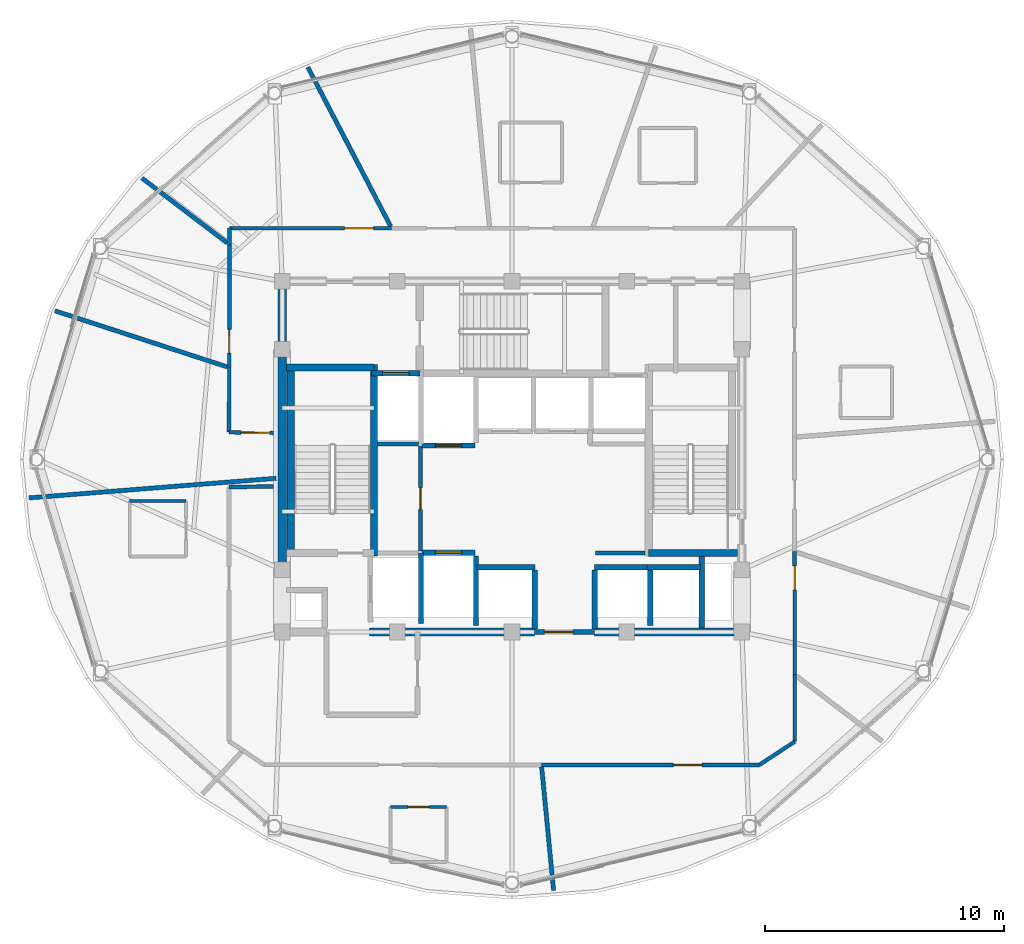
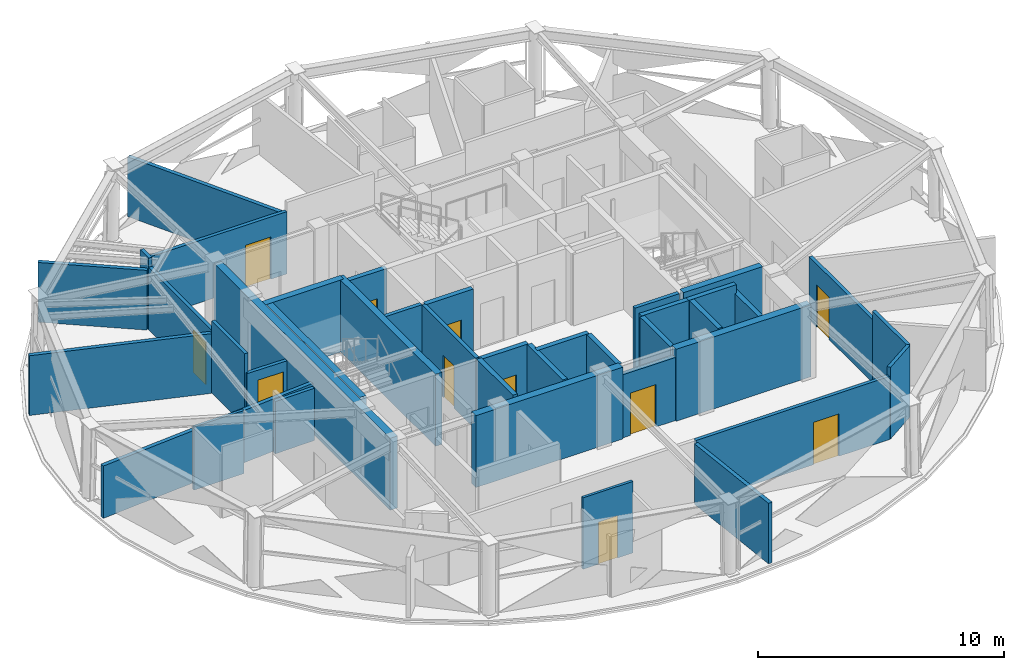
# One storey, part 9 of 15: 40 walls, 11 doors, 11 openings.
"""IFC4 building model written with IfcOpenShell, lengths in metres."""

from ifc_helpers import new_model, si_unit, direction, frame, frame_2d, origin, place, context, subcontext, project, spatial, rectangle, extrude, material, layer, layer_set, type_object, element, fill, save


model = new_model("IFC4")

# Units and contexts
model_context = context("Model", 3, precision=1e-05, world=origin(), true_north=direction((0.0, 1.0)))
body_context = subcontext(model_context, "Body", "Model", "MODEL_VIEW")
ifc_project = project(units=[si_unit("LENGTHUNIT", "METRE"), si_unit("AREAUNIT", "SQUARE_METRE"), si_unit("VOLUMEUNIT", "CUBIC_METRE"), si_unit("PLANEANGLEUNIT", "RADIAN"), si_unit("MASSUNIT", "GRAM", prefix="KILO")], contexts=[model_context])

# Site, building, storey
site_placement = place(None, origin())
site = spatial("IfcSite", under=ifc_project, at=site_placement, CompositionType="ELEMENT")
building_placement = place(site_placement, origin())
building = spatial("IfcBuilding", under=site, at=building_placement, Name="Vantalir Tower", CompositionType="ELEMENT")
storey_placement = place(building_placement, frame((0.0, 0.0, 263.85009765625)))
storey = spatial("IfcBuildingStorey", under=building, at=storey_placement, Name="L66", CompositionType="ELEMENT", Elevation=263.85009765625)

# Wall
ifc_material_1 = material(Name="Moisture-resistant en-suite partition", Category="gypsum")
ifc_layer_1 = layer(ifc_material_1, 0.125)
ifc_layer_set_1 = layer_set([ifc_layer_1], Name="Moisture-resistant en-suite partition")
wall_type_1 = type_object("IfcWallType", Name="WL-BATH-125", PredefinedType="PARTITIONING", material=ifc_layer_set_1)
wall_1_placement = place(storey_placement, frame((15.5380859375, 23.262939453125, 0.0), z_axis=(0.0, 0.0, 1.0), x_axis=(1.0, 0.0, 0.0)))
element("IfcWall", 1, at=wall_1_placement, inside=storey, type_object=wall_type_1, Name="L66 En-suite 08 North Wall", PredefinedType="PARTITIONING", context=body_context, shape_type="SweptSolid", body=[
    extrude(rectangle(XDim=2.349853515625, YDim=0.125, at=frame_2d((1.1748046875, 0.0))), origin(), (0.0, 0.0, 1.0), 3.1318359375),
])

# Wall, opening, door
wall_2_placement = place(storey_placement, frame((26.425048828125, 10.491943359375, 0.0), z_axis=(0.0, 0.0, 1.0), x_axis=(1.0, 0.0, 0.0)))
wall_2 = element("IfcWall", 2, at=wall_2_placement, inside=storey, type_object=wall_type_1, Name="L66 En-suite 09 North Wall", PredefinedType="PARTITIONING", context=body_context, shape_type="SweptSolid", body=[
    extrude(rectangle(XDim=2.349853515625, YDim=0.125, at=frame_2d((1.1748046875, 0.0))), origin(), (0.0, 0.0, 1.0), 3.5498046875),
])
opening_1_placement = place(wall_2_placement, frame((0.72509765625, 0.0, 0.0)))
opening_1 = element("IfcOpeningElement", 3, at=opening_1_placement, cuts=wall_2, Name="Opening D-WC", PredefinedType="OPENING", context=body_context, shape_type="SweptSolid", body=[
    extrude(rectangle(XDim=0.89990234375, YDim=2.10009765625, at=frame_2d((0.449951171875, 1.050048828125))), frame((0.0, 0.072509765625, 0.0), z_axis=(0.0, -1.0, 0.0), x_axis=(1.0, 0.0, 0.0)), (0.0, 0.0, 1.0), 0.14501953125),
])
ifc_material_2 = material(Name="Moisture-resistant hardwood door", Category="wood")
door_type_1 = type_object("IfcDoorType", Name="DR-ENSUITE-900", OperationType="NOTDEFINED", PredefinedType="DOOR", material=ifc_material_2)
door_1_placement = place(opening_1_placement, frame((0.89990234375, 0.0, 0.0), z_axis=(0.0, 0.0, 1.0), x_axis=(-1.0, 0.0, 0.0)))
door_1 = element("IfcDoor", 4, at=door_1_placement, inside=storey, type_object=door_type_1, Name="L66 En-suite 09 Door", OperationType="SINGLE_SWING_RIGHT", OverallHeight=2.10009765625, OverallWidth=0.89990234375, PredefinedType="DOOR", context=body_context, shape_type="SweptSolid", body=[
    extrude(rectangle(XDim=0.89990234375, YDim=2.10009765625, at=frame_2d((0.449951171875, 1.050048828125))), frame((0.0, 0.02490234375, 0.0), z_axis=(0.0, -1.0, 0.0), x_axis=(1.0, 0.0, 0.0)), (0.0, 0.0, 1.0), 0.050048828125),
])
fill(opening_1, door_1)

# Walls
ifc_material_3 = material(Name="Concrete C50/60", Category="concrete")
ifc_layer_2 = layer(ifc_material_3, 0.35009765625)
ifc_layer_set_2 = layer_set([ifc_layer_2], Name="Concrete C50/60")
wall_type_2 = type_object("IfcWallType", Name="WL-CORE-350", PredefinedType="SHEAR", material=ifc_layer_set_2)
wall_3_placement = place(storey_placement, frame((25.550048828125, 17.800048828125, 0.0), z_axis=(0.0, 0.0, 1.0), x_axis=(1.0, 0.0, 0.0)))
element("IfcWall", 5, at=wall_3_placement, inside=storey, type_object=wall_type_2, Name="L66 Core Shear Wall South-Mid", PredefinedType="SHEAR", context=body_context, shape_type="SweptSolid", body=[
    extrude(rectangle(XDim=6.89990234375, YDim=0.35009765625, at=frame_2d((3.449951171875, 0.0))), origin(), (0.0, 0.0, 1.0), 3.56982421875),
])
wall_4_placement = place(storey_placement, frame((34.949951171875, 17.800048828125, 0.0), z_axis=(0.0, 0.0, 1.0), x_axis=(1.0, 0.0, 0.0)))
element("IfcWall", 6, at=wall_4_placement, inside=storey, type_object=wall_type_2, Name="L66 Core Shear Wall South-East", PredefinedType="SHEAR", context=body_context, shape_type="SweptSolid", body=[
    extrude(rectangle(XDim=6.324951171875, YDim=0.35009765625, at=frame_2d((3.16259765625, 0.0))), origin(), (0.0, 0.0, 1.0), 3.56982421875),
])
wall_5_placement = place(storey_placement, frame((21.89990234375, 17.97509765625, 0.0), z_axis=(0.0, 0.0, 1.0), x_axis=(0.0, 1.0, 0.0)))
element("IfcWall", 7, at=wall_5_placement, inside=storey, type_object=wall_type_2, Name="L66 Core Shear Wall West", PredefinedType="SHEAR", context=body_context, shape_type="SweptSolid", body=[
    extrude(rectangle(XDim=14.2998046875, YDim=0.35009765625, at=frame_2d((7.14990234375, 0.0))), origin(), (0.0, 0.0, 1.0), 3.56982421875),
])

# Wall, opening, door
ifc_material_4 = material(Name="Fire-rated hotel corridor acoustic partition", Category="gypsum")
ifc_layer_3 = layer(ifc_material_4, 0.159912109375)
ifc_layer_set_3 = layer_set([ifc_layer_3], Name="Fire-rated hotel corridor acoustic partition")
wall_type_3 = type_object("IfcWallType", Name="WL-CORR-160", PredefinedType="PARTITIONING", material=ifc_layer_set_3)
wall_6_placement = place(storey_placement, frame((21.544921875, 26.116943359375, 0.0), z_axis=(0.0, 0.0, 1.0), x_axis=(-0.999908513059, 0.0135264745, 0.0)))
wall_6 = element("IfcWall", 8, at=wall_6_placement, inside=storey, type_object=wall_type_3, Name="L66 Corridor Partition 01", PredefinedType="PARTITIONING", context=body_context, shape_type="SweptSolid", body=[
    extrude(rectangle(XDim=1.859130859375, YDim=0.159912109375, at=frame_2d((0.9296875, 0.0))), origin(), (0.0, 0.0, 1.0), 2.594970703125),
])
opening_2_placement = place(wall_6_placement, frame((0.159912109375, 0.0, 0.0)))
opening_2 = element("IfcOpeningElement", 9, at=opening_2_placement, cuts=wall_6, Name="Opening D-STE", PredefinedType="OPENING", context=body_context, shape_type="SweptSolid", body=[
    extrude(rectangle(XDim=1.199951171875, YDim=2.10009765625, at=frame_2d((0.60009765625, 1.050048828125))), frame((0.0, 0.08984375, 0.0), z_axis=(0.0, -1.0, 0.0), x_axis=(1.0, 0.0, 0.0)), (0.0, 0.0, 1.0), 0.179931640625),
])
ifc_material_5 = material(Name="Solid-core teak veneer suite entrance door", Category="wood")
door_type_2 = type_object("IfcDoorType", Name="DR-SUITE-ENTRY-1200", OperationType="NOTDEFINED", PredefinedType="DOOR", material=ifc_material_5)
door_2_placement = place(opening_2_placement, origin())
door_2 = element("IfcDoor", 10, at=door_2_placement, inside=storey, type_object=door_type_2, Name="L66 Club Reading Lounge 07 Door", OperationType="SINGLE_SWING_LEFT", OverallHeight=2.10009765625, OverallWidth=1.199951171875, PredefinedType="DOOR", context=body_context, shape_type="SweptSolid", body=[
    extrude(rectangle(XDim=1.199951171875, YDim=2.10009765625, at=frame_2d((0.60009765625, 1.050048828125))), frame((0.0, 0.02490234375, 0.0), z_axis=(0.0, -1.0, 0.0), x_axis=(1.0, 0.0, 0.0)), (0.0, 0.0, 1.0), 0.050048828125),
])
fill(opening_2, door_2)

# Wall
wall_7_placement = place(storey_placement, frame((19.68603515625, 26.14208984375, 0.0), z_axis=(0.0, 0.0, 1.0), x_axis=(0.002621341441, 0.999996564279, 0.0)))
element("IfcWall", 11, at=wall_7_placement, inside=storey, type_object=wall_type_3, Name="L66 Corridor Partition 02", PredefinedType="PARTITIONING", context=body_context, shape_type="SweptSolid", body=[
    extrude(rectangle(XDim=2.700927734375, YDim=0.159912109375, at=frame_2d((1.3505859375, 0.0))), origin(), (0.0, 0.0, 1.0), 3.5498046875),
])

# Wall, opening, door
wall_8_placement = place(storey_placement, frame((19.693115234375, 28.843017578125, 0.0), z_axis=(0.0, 0.0, 1.0), x_axis=(0.002904196475, 0.999995782813, 0.0)))
wall_8 = element("IfcWall", 12, at=wall_8_placement, inside=storey, type_object=wall_type_3, Name="L66 Corridor Partition 03", PredefinedType="PARTITIONING", context=body_context, shape_type="SweptSolid", body=[
    extrude(rectangle(XDim=5.1279296875, YDim=0.159912109375, at=frame_2d((2.56396484375, 0.0))), origin(), (0.0, 0.0, 1.0), 3.091796875),
])
opening_3_placement = place(wall_8_placement, frame((0.59912109375, 0.0, 0.0)))
opening_3 = element("IfcOpeningElement", 13, at=opening_3_placement, cuts=wall_8, Name="Opening D-GUEST", PredefinedType="OPENING", context=body_context, shape_type="SweptSolid", body=[
    extrude(rectangle(XDim=1.0, YDim=2.10009765625, at=frame_2d((0.5, 1.050048828125))), frame((0.0, 0.08984375, 0.0), z_axis=(0.0, -1.0, 0.0), x_axis=(1.0, 0.0, 0.0)), (0.0, 0.0, 1.0), 0.179931640625),
])
ifc_material_6 = material(Name="Solid-core teak veneer acoustic fire door", Category="wood")
door_type_3 = type_object("IfcDoorType", Name="DR-GUEST-ENTRY-1000", OperationType="NOTDEFINED", PredefinedType="DOOR", material=ifc_material_6)
door_3_placement = place(opening_3_placement, origin())
door_3 = element("IfcDoor", 14, at=door_3_placement, inside=storey, type_object=door_type_3, Name="L66 Executive Business Study 06 Door", OperationType="SINGLE_SWING_RIGHT", OverallHeight=2.10009765625, OverallWidth=1.0, PredefinedType="DOOR", context=body_context, shape_type="SweptSolid", body=[
    extrude(rectangle(XDim=1.0, YDim=2.10009765625, at=frame_2d((0.5, 1.050048828125))), frame((0.0, 0.02490234375, 0.0), z_axis=(0.0, -1.0, 0.0), x_axis=(1.0, 0.0, 0.0)), (0.0, 0.0, 1.0), 0.050048828125),
])
fill(opening_3, door_3)

# Wall
wall_9_placement = place(storey_placement, frame((19.7080078125, 33.970947265625, 0.0), z_axis=(0.0, 0.0, 1.0), x_axis=(0.002825845305, 0.999996007291, 0.0)))
element("IfcWall", 15, at=wall_9_placement, inside=storey, type_object=wall_type_3, Name="L66 Corridor Partition 04", PredefinedType="PARTITIONING", context=body_context, shape_type="SweptSolid", body=[
    extrude(rectangle(XDim=0.691162109375, YDim=0.159912109375, at=frame_2d((0.345703125, 0.0))), origin(), (0.0, 0.0, 1.0), 3.5498046875),
])

# Wall, opening, door
wall_10_placement = place(storey_placement, frame((19.7099609375, 34.662109375, 0.0), z_axis=(0.0, 0.0, 1.0), x_axis=(0.999999983716, -0.000180466322, 0.0)))
wall_10 = element("IfcWall", 16, at=wall_10_placement, inside=storey, type_object=wall_type_3, Name="L66 Corridor Partition 05", PredefinedType="PARTITIONING", context=body_context, shape_type="SweptSolid", body=[
    extrude(rectangle(XDim=6.76416015625, YDim=0.159912109375, at=frame_2d((3.382080078125, 0.0))), origin(), (0.0, 0.0, 1.0), 3.091796875),
])
opening_4_placement = place(wall_10_placement, frame((4.804931640625, 0.0, 0.0)))
opening_4 = element("IfcOpeningElement", 17, at=opening_4_placement, cuts=wall_10, Name="Opening D-STE", PredefinedType="OPENING", context=body_context, shape_type="SweptSolid", body=[
    extrude(rectangle(XDim=1.199951171875, YDim=2.10009765625, at=frame_2d((0.60009765625, 1.050048828125))), frame((0.0, 0.08984375, 0.0), z_axis=(0.0, -1.0, 0.0), x_axis=(1.0, 0.0, 0.0)), (0.0, 0.0, 1.0), 0.179931640625),
])
door_4_placement = place(opening_4_placement, origin())
door_4 = element("IfcDoor", 18, at=door_4_placement, inside=storey, type_object=door_type_2, Name="L66 Club Reading Lounge 05 Door", OperationType="SINGLE_SWING_LEFT", OverallHeight=2.10009765625, OverallWidth=1.199951171875, PredefinedType="DOOR", context=body_context, shape_type="SweptSolid", body=[
    extrude(rectangle(XDim=1.199951171875, YDim=2.10009765625, at=frame_2d((0.60009765625, 1.050048828125))), frame((0.0, 0.02490234375, 0.0), z_axis=(0.0, -1.0, 0.0), x_axis=(1.0, 0.0, 0.0)), (0.0, 0.0, 1.0), 0.050048828125),
])
fill(opening_4, door_4)

wall_11_placement = place(storey_placement, frame((43.302978515625, 21.157958984375, 0.0), z_axis=(0.0, 0.0, 1.0), x_axis=(0.000759986481, -0.99999971121, 0.0)))
wall_11 = element("IfcWall", 19, at=wall_11_placement, inside=storey, type_object=wall_type_3, Name="L66 Corridor Partition 12", PredefinedType="PARTITIONING", context=body_context, shape_type="SweptSolid", body=[
    extrude(rectangle(XDim=5.139892578125, YDim=0.159912109375, at=frame_2d((2.56982421875, 0.0))), origin(), (0.0, 0.0, 1.0), 3.1318359375),
])
opening_5_placement = place(wall_11_placement, frame((0.60107421875, 0.0, 0.0)))
opening_5 = element("IfcOpeningElement", 20, at=opening_5_placement, cuts=wall_11, Name="Opening D-GUEST", PredefinedType="OPENING", context=body_context, shape_type="SweptSolid", body=[
    extrude(rectangle(XDim=1.0, YDim=2.10009765625, at=frame_2d((0.5, 1.050048828125))), frame((0.0, 0.08984375, 0.0), z_axis=(0.0, -1.0, 0.0), x_axis=(1.0, 0.0, 0.0)), (0.0, 0.0, 1.0), 0.179931640625),
])
door_5_placement = place(opening_5_placement, origin())
door_5 = element("IfcDoor", 21, at=door_5_placement, inside=storey, type_object=door_type_3, Name="L66 Executive Business Study 11 Door", OperationType="SINGLE_SWING_LEFT", OverallHeight=2.10009765625, OverallWidth=1.0, PredefinedType="DOOR", context=body_context, shape_type="SweptSolid", body=[
    extrude(rectangle(XDim=1.0, YDim=2.10009765625, at=frame_2d((0.5, 1.050048828125))), frame((0.0, 0.02490234375, 0.0), z_axis=(0.0, -1.0, 0.0), x_axis=(1.0, 0.0, 0.0)), (0.0, 0.0, 1.0), 0.050048828125),
])
fill(opening_5, door_5)

# Walls
wall_12_placement = place(storey_placement, frame((43.306884765625, 16.01806640625, 0.0), z_axis=(0.0, 0.0, 1.0), x_axis=(0.000786438065, -0.999999690758, 0.0)))
element("IfcWall", 22, at=wall_12_placement, inside=storey, type_object=wall_type_3, Name="L66 Corridor Partition 13", PredefinedType="PARTITIONING", context=body_context, shape_type="SweptSolid", body=[
    extrude(rectangle(XDim=2.7939453125, YDim=0.159912109375, at=frame_2d((1.39697265625, 0.0))), origin(), (0.0, 0.0, 1.0), 3.5498046875),
])
wall_13_placement = place(storey_placement, frame((43.30908203125, 13.22412109375, 0.0), z_axis=(0.0, 0.0, 1.0), x_axis=(-0.836006510541, -0.548719522464, 0.0)))
element("IfcWall", 23, at=wall_13_placement, inside=storey, type_object=wall_type_3, Name="L66 Corridor Partition 14", PredefinedType="PARTITIONING", context=body_context, shape_type="SweptSolid", body=[
    extrude(rectangle(XDim=1.775146484375, YDim=0.159912109375, at=frame_2d((0.8876953125, 0.0))), origin(), (0.0, 0.0, 1.0), 3.5498046875),
])

# Wall, opening, door
wall_14_placement = place(storey_placement, frame((41.824951171875, 12.25, 0.0), z_axis=(0.0, 0.0, 1.0), x_axis=(-0.999999948119, 0.000322121692, 0.0)))
wall_14 = element("IfcWall", 24, at=wall_14_placement, inside=storey, type_object=wall_type_3, Name="L66 Corridor Partition 15", PredefinedType="PARTITIONING", context=body_context, shape_type="SweptSolid", body=[
    extrude(rectangle(XDim=9.094970703125, YDim=0.159912109375, at=frame_2d((4.54736328125, 0.0))), origin(), (0.0, 0.0, 1.0), 3.1318359375),
])
opening_6_placement = place(wall_14_placement, frame((2.387939453125, 0.0, 0.0)))
opening_6 = element("IfcOpeningElement", 25, at=opening_6_placement, cuts=wall_14, Name="Opening D-STE", PredefinedType="OPENING", context=body_context, shape_type="SweptSolid", body=[
    extrude(rectangle(XDim=1.199951171875, YDim=2.10009765625, at=frame_2d((0.60009765625, 1.050048828125))), frame((0.0, 0.08984375, 0.0), z_axis=(0.0, -1.0, 0.0), x_axis=(1.0, 0.0, 0.0)), (0.0, 0.0, 1.0), 0.179931640625),
])
door_6_placement = place(opening_6_placement, origin())
door_6 = element("IfcDoor", 26, at=door_6_placement, inside=storey, type_object=door_type_2, Name="L66 Club Reading Lounge 10 Door", OperationType="SINGLE_SWING_RIGHT", OverallHeight=2.10009765625, OverallWidth=1.199951171875, PredefinedType="DOOR", context=body_context, shape_type="SweptSolid", body=[
    extrude(rectangle(XDim=1.199951171875, YDim=2.10009765625, at=frame_2d((0.60009765625, 1.050048828125))), frame((0.0, 0.02490234375, 0.0), z_axis=(0.0, -1.0, 0.0), x_axis=(1.0, 0.0, 0.0)), (0.0, 0.0, 1.0), 0.050048828125),
])
fill(opening_6, door_6)

# Walls
wall_15_placement = place(storey_placement, frame((19.68505859375, 23.85009765625, 0.0), z_axis=(0.0, 0.0, 1.0), x_axis=(0.999852179606, 0.017193572529, 0.0)))
element("IfcWall", 27, at=wall_15_placement, inside=storey, type_object=wall_type_3, Name="L66 Corridor Partition 20", PredefinedType="PARTITIONING", context=body_context, shape_type="SweptSolid", body=[
    extrude(rectangle(XDim=1.860107421875, YDim=0.159912109375, at=frame_2d((0.93017578125, 0.0))), origin(), (0.0, 0.0, 1.0), 2.594970703125),
])
ifc_material_7 = material(Name="Concrete blockwork with fireboard lining", Category="masonry")
ifc_layer_4 = layer(ifc_material_7, 0.219970703125)
ifc_layer_set_4 = layer_set([ifc_layer_4], Name="Concrete blockwork with fireboard lining")
wall_type_4 = type_object("IfcWallType", Name="WL-FFL-220", PredefinedType="PARTITIONING", material=ifc_layer_set_4)
wall_16_placement = place(storey_placement, frame((30.0, 18.080078125, 0.0), z_axis=(0.0, 0.0, 1.0), x_axis=(0.0, 1.0, 0.0)))
element("IfcWall", 28, at=wall_16_placement, inside=storey, type_object=wall_type_4, Name="L66 Service Lift SV1 East Shaft Wall", PredefinedType="PARTITIONING", context=body_context, shape_type="SweptSolid", body=[
    extrude(rectangle(XDim=2.89990234375, YDim=0.219970703125, at=frame_2d((1.449951171875, 0.0))), origin(), (0.0, 0.0, 1.0), 3.544921875),
])
for number, where, z_axis, x_axis, name in (
    (29, (32.449951171875, 17.919921875, 0.0), (0.0, 0.0, 1.0), (0.0, 1.0, 0.0), "L66 Shuttle Lift PL-X1 East Shaft Cheek"),
    (30, (34.949951171875, 17.919921875, 0.0), (0.0, 0.0, 1.0), (0.0, 1.0, 0.0), "L66 Shuttle Lift PL-X3 West Shaft Cheek"),
):
    element("IfcWall", number, at=place(storey_placement, frame(where, z_axis=z_axis, x_axis=x_axis)), inside=storey, type_object=wall_type_4, Name=name, PredefinedType="PARTITIONING", context=body_context, shape_type="SweptSolid", body=[
        extrude(rectangle(XDim=2.469970703125, YDim=0.219970703125, at=frame_2d((1.23486328125, 0.0))), origin(), (0.0, 0.0, 1.0), 3.544921875),
    ])
wall_17_placement = place(storey_placement, frame((37.27490234375, 18.080078125, 0.0), z_axis=(0.0, 0.0, 1.0), x_axis=(0.0, 1.0, 0.0)))
element("IfcWall", 31, at=wall_17_placement, inside=storey, type_object=wall_type_4, Name="L66 Shuttle Lift PL-X2/X3 Shaft Divider", PredefinedType="PARTITIONING", context=body_context, shape_type="SweptSolid", body=[
    extrude(rectangle(XDim=2.309814453125, YDim=0.219970703125, at=frame_2d((1.15478515625, 0.0))), origin(), (0.0, 0.0, 1.0), 3.544921875),
])

# Wall, opening, door
wall_18_placement = place(storey_placement, frame((32.449951171875, 17.800048828125, 0.0), z_axis=(0.0, 0.0, 1.0), x_axis=(1.0, 0.0, 0.0)))
wall_18 = element("IfcWall", 32, at=wall_18_placement, inside=storey, type_object=wall_type_4, Name="L66 Passenger Lift Lobby South Wall", PredefinedType="PARTITIONING", context=body_context, shape_type="SweptSolid", body=[
    extrude(rectangle(XDim=2.5, YDim=0.219970703125, at=frame_2d((1.25, 0.0))), origin(), (0.0, 0.0, 1.0), 3.1318359375),
])
opening_7_placement = place(wall_18_placement, frame((0.39990234375, 0.0, 0.0)))
opening_7 = element("IfcOpeningElement", 33, at=opening_7_placement, cuts=wall_18, Name="Opening D-STE", PredefinedType="OPENING", context=body_context, shape_type="SweptSolid", body=[
    extrude(rectangle(XDim=1.199951171875, YDim=2.10009765625, at=frame_2d((0.60009765625, 1.050048828125))), frame((0.0, 0.119873046875, 0.0), z_axis=(0.0, -1.0, 0.0), x_axis=(1.0, 0.0, 0.0)), (0.0, 0.0, 1.0), 0.239990234375),
])
door_7_placement = place(opening_7_placement, origin())
door_7 = element("IfcDoor", 34, at=door_7_placement, inside=storey, type_object=door_type_2, Name="L66 Passenger Lift Lobby Concourse Door", OperationType="SINGLE_SWING_LEFT", OverallHeight=2.10009765625, OverallWidth=1.199951171875, PredefinedType="DOOR", context=body_context, shape_type="SweptSolid", body=[
    extrude(rectangle(XDim=1.199951171875, YDim=2.10009765625, at=frame_2d((0.60009765625, 1.050048828125))), frame((0.0, 0.02490234375, 0.0), z_axis=(0.0, -1.0, 0.0), x_axis=(1.0, 0.0, 0.0)), (0.0, 0.0, 1.0), 0.050048828125),
])
fill(opening_7, door_7)

# Wall
wall_19_placement = place(storey_placement, frame((39.419921875, 17.97509765625, 0.0), z_axis=(0.0, 0.0, 1.0), x_axis=(0.0, 1.0, 0.0)))
element("IfcWall", 35, at=wall_19_placement, inside=storey, type_object=wall_type_4, Name="L66 East MEP Riser Wall W", PredefinedType="PARTITIONING", context=body_context, shape_type="SweptSolid", body=[
    extrude(rectangle(XDim=2.974853515625, YDim=0.219970703125, at=frame_2d((1.4873046875, 0.0))), origin(), (0.0, 0.0, 1.0), 3.1318359375),
])

# Wall, opening, door
wall_20_placement = place(storey_placement, frame((25.639892578125, 28.610107421875, 0.0), z_axis=(0.0, 0.0, 1.0), x_axis=(1.0, 0.0, 0.0)))
wall_20 = element("IfcWall", 36, at=wall_20_placement, inside=storey, type_object=wall_type_4, Name="L66 Lift FL2 Shaft Front Wall", PredefinedType="PARTITIONING", context=body_context, shape_type="SweptSolid", body=[
    extrude(rectangle(XDim=2.02001953125, YDim=0.219970703125, at=frame_2d((1.010009765625, 0.0))), origin(), (0.0, 0.0, 1.0), 3.5498046875),
])
opening_8_placement = place(wall_20_placement, frame((0.4599609375, 0.0, 0.0)))
opening_8 = element("IfcOpeningElement", 37, at=opening_8_placement, cuts=wall_20, Name="Opening LD-FL2", PredefinedType="OPENING", context=body_context, shape_type="SweptSolid", body=[
    extrude(rectangle(XDim=1.10009765625, YDim=2.199951171875, at=frame_2d((0.550048828125, 1.10009765625))), frame((0.0, 0.119873046875, 0.0), z_axis=(0.0, -1.0, 0.0), x_axis=(1.0, 0.0, 0.0)), (0.0, 0.0, 1.0), 0.239990234375),
])
ifc_material_8 = material(Name="Brushed stainless-steel sliding lift landing door", Category="steel")
door_type_4 = type_object("IfcDoorType", Name="DR-LIFT-LANDING-1100", OperationType="DOUBLE_DOOR_SLIDING", PredefinedType="DOOR", material=ifc_material_8)
door_8_placement = place(opening_8_placement, origin())
door_8 = element("IfcDoor", 38, at=door_8_placement, inside=storey, type_object=door_type_4, Name="L66 Lift Landing Door FL2", OperationType="DOUBLE_DOOR_SLIDING", OverallHeight=2.199951171875, OverallWidth=1.10009765625, PredefinedType="DOOR", context=body_context, shape_type="SweptSolid", body=[
    extrude(rectangle(XDim=1.10009765625, YDim=2.199951171875, at=frame_2d((0.550048828125, 1.10009765625))), frame((0.0, 0.02490234375, 0.0), z_axis=(0.0, -1.0, 0.0), x_axis=(1.0, 0.0, 0.0)), (0.0, 0.0, 1.0), 0.050048828125),
])
fill(opening_8, door_8)

wall_21_placement = place(storey_placement, frame((27.739990234375, 21.110107421875, 0.0), z_axis=(0.0, 0.0, 1.0), x_axis=(1.0, 0.0, 0.0)))
wall_21 = element("IfcWall", 39, at=wall_21_placement, inside=storey, type_object=wall_type_4, Name="L66 Lift SV1 Shaft Front Wall", PredefinedType="PARTITIONING", context=body_context, shape_type="SweptSolid", body=[
    extrude(rectangle(XDim=2.219970703125, YDim=0.219970703125, at=frame_2d((1.10986328125, 0.0))), origin(), (0.0, 0.0, 1.0), 3.5498046875),
])
opening_9_placement = place(wall_21_placement, frame((0.56005859375, 0.0, 0.0)))
opening_9 = element("IfcOpeningElement", 40, at=opening_9_placement, cuts=wall_21, Name="Opening LD-SV1", PredefinedType="OPENING", context=body_context, shape_type="SweptSolid", body=[
    extrude(rectangle(XDim=1.10009765625, YDim=2.199951171875, at=frame_2d((0.550048828125, 1.10009765625))), frame((0.0, 0.119873046875, 0.0), z_axis=(0.0, -1.0, 0.0), x_axis=(1.0, 0.0, 0.0)), (0.0, 0.0, 1.0), 0.239990234375),
])
door_9_placement = place(opening_9_placement, origin())
door_9 = element("IfcDoor", 41, at=door_9_placement, inside=storey, type_object=door_type_4, Name="L66 Lift Landing Door SV1", OperationType="DOUBLE_DOOR_SLIDING", OverallHeight=2.199951171875, OverallWidth=1.10009765625, PredefinedType="DOOR", context=body_context, shape_type="SweptSolid", body=[
    extrude(rectangle(XDim=1.10009765625, YDim=2.199951171875, at=frame_2d((0.550048828125, 1.10009765625))), frame((0.0, 0.02490234375, 0.0), z_axis=(0.0, -1.0, 0.0), x_axis=(1.0, 0.0, 0.0)), (0.0, 0.0, 1.0), 0.050048828125),
])
fill(opening_9, door_9)

wall_22_placement = place(storey_placement, frame((27.739990234375, 25.590087890625, 0.0), z_axis=(0.0, 0.0, 1.0), x_axis=(1.0, 0.0, 0.0)))
wall_22 = element("IfcWall", 42, at=wall_22_placement, inside=storey, type_object=wall_type_4, Name="L66 Lift SV2 Shaft Front Wall", PredefinedType="PARTITIONING", context=body_context, shape_type="SweptSolid", body=[
    extrude(rectangle(XDim=2.219970703125, YDim=0.219970703125, at=frame_2d((1.10986328125, 0.0))), origin(), (0.0, 0.0, 1.0), 3.5498046875),
])
opening_10_placement = place(wall_22_placement, frame((0.56005859375, 0.0, 0.0)))
opening_10 = element("IfcOpeningElement", 43, at=opening_10_placement, cuts=wall_22, Name="Opening LD-SV2", PredefinedType="OPENING", context=body_context, shape_type="SweptSolid", body=[
    extrude(rectangle(XDim=1.10009765625, YDim=2.199951171875, at=frame_2d((0.550048828125, 1.10009765625))), frame((0.0, 0.119873046875, 0.0), z_axis=(0.0, -1.0, 0.0), x_axis=(1.0, 0.0, 0.0)), (0.0, 0.0, 1.0), 0.239990234375),
])
door_10_placement = place(opening_10_placement, frame((1.10009765625, 0.0, 0.0), z_axis=(0.0, 0.0, 1.0), x_axis=(-1.0, 0.0, 0.0)))
door_10 = element("IfcDoor", 44, at=door_10_placement, inside=storey, type_object=door_type_4, Name="L66 Lift Landing Door SV2", OperationType="DOUBLE_DOOR_SLIDING", OverallHeight=2.199951171875, OverallWidth=1.10009765625, PredefinedType="DOOR", context=body_context, shape_type="SweptSolid", body=[
    extrude(rectangle(XDim=1.10009765625, YDim=2.199951171875, at=frame_2d((0.550048828125, 1.10009765625))), frame((0.0, 0.02490234375, 0.0), z_axis=(0.0, -1.0, 0.0), x_axis=(1.0, 0.0, 0.0)), (0.0, 0.0, 1.0), 0.050048828125),
])
fill(opening_10, door_10)

# Walls
wall_23_placement = place(storey_placement, frame((30.0400390625, 20.510009765625, 0.0), z_axis=(0.0, 0.0, 1.0), x_axis=(1.0, 0.0, 0.0)))
element("IfcWall", 45, at=wall_23_placement, inside=storey, type_object=wall_type_4, Name="L66 Lift PL-X1 Shaft Front Wall", PredefinedType="PARTITIONING", context=body_context, shape_type="SweptSolid", body=[
    extrude(rectangle(XDim=2.419921875, YDim=0.219970703125, at=frame_2d((1.2099609375, 0.0))), origin(), (0.0, 0.0, 1.0), 3.5498046875),
])
for number, where, z_axis, x_axis, name in (
    (46, (37.139892578125, 20.510009765625, 0.0), (0.0, 0.0, 1.0), (1.0, 0.0, 0.0), "L66 Lift PL-X2 Shaft Rear Wall"),
    (47, (34.93994140625, 20.510009765625, 0.0), (0.0, 0.0, 1.0), (1.0, 0.0, 0.0), "L66 Lift PL-X3 Shaft Front Wall"),
):
    element("IfcWall", number, at=place(storey_placement, frame(where, z_axis=z_axis, x_axis=x_axis)), inside=storey, type_object=wall_type_4, Name=name, PredefinedType="PARTITIONING", context=body_context, shape_type="SweptSolid", body=[
        extrude(rectangle(XDim=2.239990234375, YDim=0.219970703125, at=frame_2d((1.1201171875, 0.0))), origin(), (0.0, 0.0, 1.0), 3.5498046875),
    ])
wall_24_placement = place(storey_placement, frame((27.699951171875, 18.14990234375, 0.0), z_axis=(0.0, 0.0, 1.0), x_axis=(0.0, 1.0, 0.0)))
element("IfcWall", 48, at=wall_24_placement, inside=storey, type_object=wall_type_4, Name="L66 Fire Lift FL1 Dividing Wall", PredefinedType="PARTITIONING", context=body_context, shape_type="SweptSolid", body=[
    extrude(rectangle(XDim=2.9501953125, YDim=0.219970703125, at=frame_2d((1.47509765625, 0.0))), origin(), (0.0, 0.0, 1.0), 3.5498046875),
])
ifc_material_9 = material(Name="Twin-stud acoustic fire-rated gypsum partition", Category="gypsum")
ifc_layer_5 = layer(ifc_material_9, 0.179931640625)
ifc_layer_set_5 = layer_set([ifc_layer_5], Name="Twin-stud acoustic fire-rated gypsum partition")
wall_type_5 = type_object("IfcWallType", Name="WL-GUEST-180", PredefinedType="PARTITIONING", material=ifc_layer_set_5)
wall_25_placement = place(storey_placement, frame((25.889892578125, 25.64990234375, 0.0), z_axis=(0.0, 0.0, 1.0), x_axis=(1.0, 0.0, 0.0)))
element("IfcWall", 49, at=wall_25_placement, inside=storey, type_object=wall_type_5, Name="L66 Freed West Core North Wall", PredefinedType="PARTITIONING", context=body_context, shape_type="SweptSolid", body=[
    extrude(rectangle(XDim=1.7001953125, YDim=0.179931640625, at=frame_2d((0.85009765625, 0.0))), origin(), (0.0, 0.0, 1.0), 3.5498046875),
])

# Wall, opening, door
wall_26_placement = place(storey_placement, frame((27.679931640625, 21.18994140625, 0.0), z_axis=(0.0, 0.0, 1.0), x_axis=(0.0, 1.0, 0.0)))
wall_26 = element("IfcWall", 50, at=wall_26_placement, inside=storey, type_object=wall_type_5, Name="L66 West Pantry East Wall", PredefinedType="PARTITIONING", context=body_context, shape_type="SweptSolid", body=[
    extrude(rectangle(XDim=4.3701171875, YDim=0.179931640625, at=frame_2d((2.18505859375, 0.0))), origin(), (0.0, 0.0, 1.0), 3.5498046875),
])
opening_11_placement = place(wall_26_placement, frame((1.735107421875, 0.0, 0.0)))
opening_11 = element("IfcOpeningElement", 51, at=opening_11_placement, cuts=wall_26, Name="Opening D-CR", PredefinedType="OPENING", context=body_context, shape_type="SweptSolid", body=[
    extrude(rectangle(XDim=0.89990234375, YDim=2.10009765625, at=frame_2d((0.449951171875, 1.050048828125))), frame((0.0, 0.099853515625, 0.0), z_axis=(0.0, -1.0, 0.0), x_axis=(1.0, 0.0, 0.0)), (0.0, 0.0, 1.0), 0.199951171875),
])
ifc_material_10 = material(Name="Fire-rated steel core service door", Category="steel")
door_type_5 = type_object("IfcDoorType", Name="DR-CORE-SERV-900", OperationType="NOTDEFINED", PredefinedType="DOOR", material=ifc_material_10)
door_11_placement = place(opening_11_placement, origin())
door_11 = element("IfcDoor", 52, at=door_11_placement, inside=storey, type_object=door_type_5, Name="L66 Core Pantry Door", OperationType="SINGLE_SWING_LEFT", OverallHeight=2.10009765625, OverallWidth=0.89990234375, PredefinedType="DOOR", context=body_context, shape_type="SweptSolid", body=[
    extrude(rectangle(XDim=0.89990234375, YDim=2.10009765625, at=frame_2d((0.449951171875, 1.050048828125))), frame((0.0, 0.02490234375, 0.0), z_axis=(0.0, -1.0, 0.0), x_axis=(1.0, 0.0, 0.0)), (0.0, 0.0, 1.0), 0.050048828125),
])
fill(opening_11, door_11)

# Walls
wall_27_placement = place(storey_placement, frame((34.97998046875, 21.10009765625, 0.0), z_axis=(0.0, 0.0, 1.0), x_axis=(1.0, 0.0, 0.0)))
element("IfcWall", 53, at=wall_27_placement, inside=storey, type_object=wall_type_5, Name="L66 Freed East Core South Wall", PredefinedType="PARTITIONING", context=body_context, shape_type="SweptSolid", body=[
    extrude(rectangle(XDim=2.080078125, YDim=0.179931640625, at=frame_2d((1.0400390625, 0.0))), origin(), (0.0, 0.0, 1.0), 3.5498046875),
])
wall_28_placement = place(storey_placement, frame((26.43310546875, 34.739990234375, 0.0), z_axis=(0.0, 0.0, 1.0), x_axis=(-0.461527239684, 0.887126037849, 0.0)))
element("IfcWall", 54, at=wall_28_placement, inside=storey, type_object=wall_type_5, Name="L66 Radial Suite Partition 05", PredefinedType="PARTITIONING", context=body_context, shape_type="SweptSolid", body=[
    extrude(rectangle(XDim=7.48828125, YDim=0.179931640625, at=frame_2d((3.744140625, 0.0))), origin(), (0.0, 0.0, 1.0), 2.962890625),
])
wall_29_placement = place(storey_placement, frame((19.610107421875, 34.044921875, 0.0), z_axis=(0.0, 0.0, 1.0), x_axis=(-0.795937236287, 0.605379150526, 0.0)))
element("IfcWall", 55, at=wall_29_placement, inside=storey, type_object=wall_type_5, Name="L66 Radial Suite Partition 06", PredefinedType="PARTITIONING", context=body_context, shape_type="SweptSolid", body=[
    extrude(rectangle(XDim=4.4765625, YDim=0.179931640625, at=frame_2d((2.23828125, 0.0))), origin(), (0.0, 0.0, 1.0), 2.962890625),
])
wall_30_placement = place(storey_placement, frame((19.610107421875, 28.8701171875, 0.0), z_axis=(0.0, 0.0, 1.0), x_axis=(-0.950901014296, 0.309495171224, 0.0)))
element("IfcWall", 56, at=wall_30_placement, inside=storey, type_object=wall_type_5, Name="L66 Radial Suite Partition 07", PredefinedType="PARTITIONING", context=body_context, shape_type="SweptSolid", body=[
    extrude(rectangle(XDim=7.569580078125, YDim=0.179931640625, at=frame_2d((3.78466796875, 0.0))), origin(), (0.0, 0.0, 1.0), 2.962890625),
])
wall_31_placement = place(storey_placement, frame((21.64990234375, 24.218994140625, 0.0), z_axis=(0.0, 0.0, 1.0), x_axis=(-0.996868257598, -0.079080193438, 0.0)))
element("IfcWall", 57, at=wall_31_placement, inside=storey, type_object=wall_type_5, Name="L66 Radial Suite Partition 08", PredefinedType="PARTITIONING", context=body_context, shape_type="SweptSolid", body=[
    extrude(rectangle(XDim=10.345458984375, YDim=0.179931640625, at=frame_2d((5.1728515625, 0.0))), origin(), (0.0, 0.0, 1.0), 2.594970703125),
])
wall_32_placement = place(storey_placement, frame((32.738037109375, 12.175048828125, 0.0), z_axis=(0.0, 0.0, 1.0), x_axis=(0.096055357657, -0.995375993414, 0.0)))
element("IfcWall", 58, at=wall_32_placement, inside=storey, type_object=wall_type_5, Name="L66 Radial Suite Partition 10", PredefinedType="PARTITIONING", context=body_context, shape_type="SweptSolid", body=[
    extrude(rectangle(XDim=5.195068359375, YDim=0.179931640625, at=frame_2d((2.59765625, 0.0))), origin(), (0.0, 0.0, 1.0), 3.0029296875),
])
ifc_layer_6 = layer(ifc_material_3, 0.300048828125)
ifc_layer_set_6 = layer_set([ifc_layer_6], Name="Concrete C50/60")
wall_type_6 = type_object("IfcWallType", Name="WL-STAIR-300", PredefinedType="SHEAR", material=ifc_layer_set_6)
wall_33_placement = place(storey_placement, frame((22.074951171875, 28.85009765625, 0.0), z_axis=(0.0, 0.0, 1.0), x_axis=(1.0, 0.0, 0.0)))
element("IfcWall", 59, at=wall_33_placement, inside=storey, type_object=wall_type_6, Name="L66 Stair ST1 North Wall", PredefinedType="SHEAR", context=body_context, shape_type="SweptSolid", body=[
    extrude(rectangle(XDim=3.6650390625, YDim=0.300048828125, at=frame_2d((1.83251953125, 0.0))), origin(), (0.0, 0.0, 1.0), 3.56982421875),
])
wall_34_placement = place(storey_placement, frame((25.739990234375, 20.97998046875, 0.0), z_axis=(0.0, 0.0, 1.0), x_axis=(0.0, 1.0, 0.0)))
element("IfcWall", 60, at=wall_34_placement, inside=storey, type_object=wall_type_6, Name="L66 Stair ST1 East Wall", PredefinedType="SHEAR", context=body_context, shape_type="SweptSolid", body=[
    extrude(rectangle(XDim=7.989990234375, YDim=0.300048828125, at=frame_2d((3.9951171875, 0.0))), origin(), (0.0, 0.0, 1.0), 3.56982421875),
])
wall_35_placement = place(storey_placement, frame((22.260009765625, 21.10009765625, 0.0), z_axis=(0.0, 0.0, 1.0), x_axis=(0.0, 1.0, 0.0)))
element("IfcWall", 61, at=wall_35_placement, inside=storey, type_object=wall_type_6, Name="L66 Stair ST1 West Liner Wall", PredefinedType="SHEAR", context=body_context, shape_type="SweptSolid", body=[
    extrude(rectangle(XDim=7.75, YDim=0.300048828125, at=frame_2d((3.875, 0.0))), origin(), (0.0, 0.0, 1.0), 3.56982421875),
])
wall_36_placement = place(storey_placement, frame((37.2099609375, 21.10009765625, 0.0), z_axis=(0.0, 0.0, 1.0), x_axis=(1.0, 0.0, 0.0)))
element("IfcWall", 62, at=wall_36_placement, inside=storey, type_object=wall_type_6, Name="L66 Stair ST2 South Wall", PredefinedType="SHEAR", context=body_context, shape_type="SweptSolid", body=[
    extrude(rectangle(XDim=3.715087890625, YDim=0.300048828125, at=frame_2d((1.857421875, 0.0))), origin(), (0.0, 0.0, 1.0), 3.56982421875),
])

save(model, "model.ifc")
